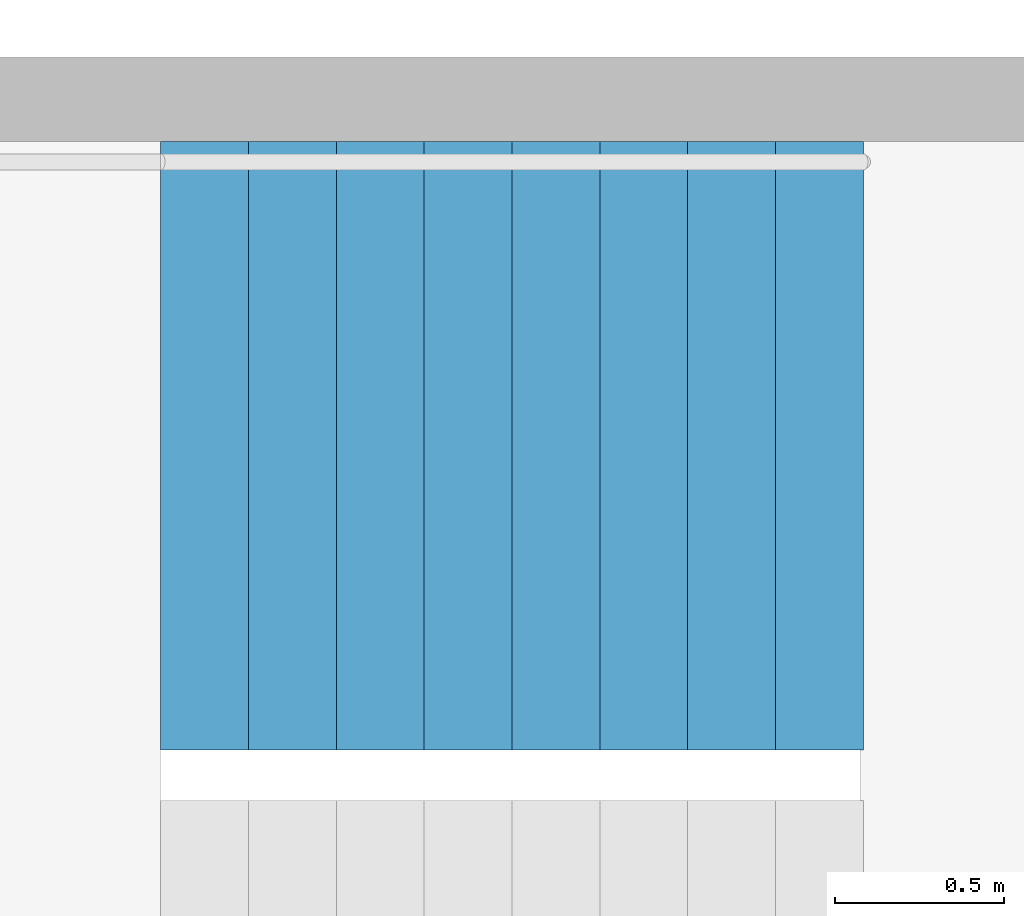
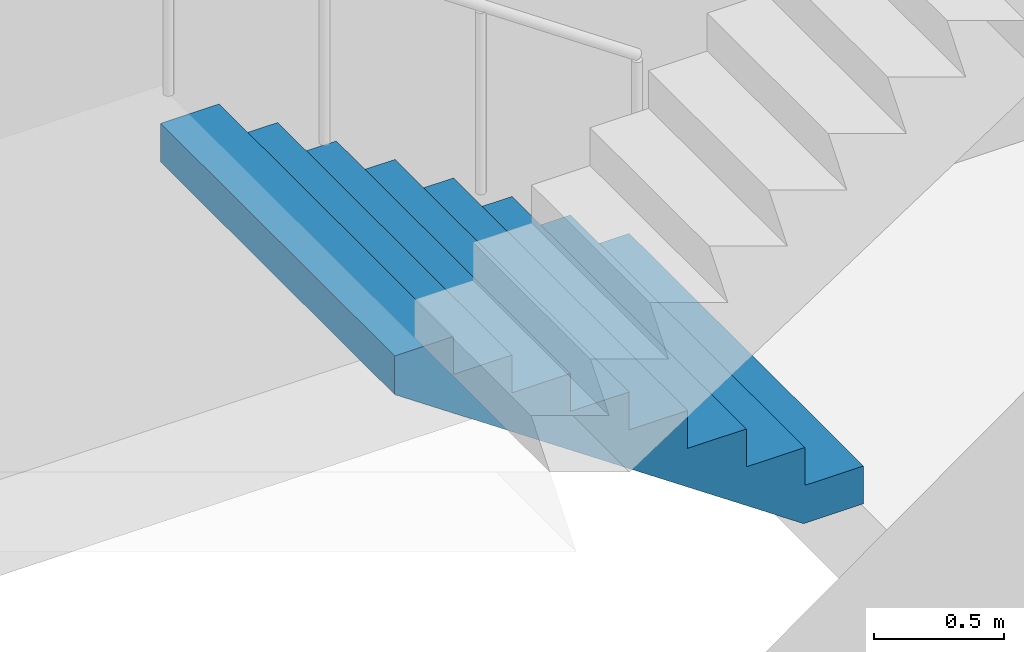
# One storey, part 17 of 28: 1 stair flight, 1 element without a shape of its own.
"""IFC4 building model written with IfcOpenShell, lengths in metres."""

from ifc_helpers import new_model, si_unit, direction, frame, origin, place, context, subcontext, project, spatial, triangles, material, type_object, element, aggregate, save


model = new_model("IFC4")

# Units and contexts
model_context = context("Model", 3, precision=1e-05, world=origin(), true_north=direction((0.0, 1.0)))
body_context = subcontext(model_context, "Body", "Model", "MODEL_VIEW")
ifc_project = project(units=[si_unit("LENGTHUNIT", "METRE"), si_unit("AREAUNIT", "SQUARE_METRE"), si_unit("VOLUMEUNIT", "CUBIC_METRE"), si_unit("PLANEANGLEUNIT", "RADIAN"), si_unit("MASSUNIT", "GRAM", prefix="KILO")], contexts=[model_context])

# Site, building, storey
site_placement = place(None, origin())
site = spatial("IfcSite", under=ifc_project, at=site_placement, CompositionType="ELEMENT")
building_placement = place(site_placement, origin())
building = spatial("IfcBuilding", under=site, at=building_placement, Name="Hakoniwa Tower and Hamabe Station Hall", CompositionType="ELEMENT")
storey_placement = place(building_placement, frame((0.0, 0.0, 218.60009765625)))
storey = spatial("IfcBuildingStorey", under=building, at=storey_placement, Name="L62", CompositionType="ELEMENT", Elevation=218.60009765625)

# Stair, stair flight
ifc_material_1 = material(Name="Concrete C40", Category="concrete")
stair_type = type_object("IfcStairType", Name="ESCAPE STAIR 1800", PredefinedType="HALF_TURN_STAIR", material=ifc_material_1)
stair_placement = place(storey_placement, origin())
stair = element("IfcStair", 1, at=stair_placement, inside=storey, type_object=stair_type, Name="Escape stair ST-2 L62", PredefinedType="HALF_TURN_STAIR")
ifc_material_2 = material(Name="Concrete C40", Category="concrete")
stair_flight_type = type_object("IfcStairFlightType", Name="STAIR FLIGHT 1800", PredefinedType="STRAIGHT", material=ifc_material_2)
stair_flight_placement = place(storey_placement, frame((-23.39990234375, -4.64990234375, 0.0), z_axis=(0.0, 0.0, 1.0), x_axis=(-1.0, 0.0, 0.0)))
stair_flight = element("IfcStairFlight", 2, at=stair_flight_placement, type_object=stair_flight_type, Name="ST-2 flight 1", NumberOfRisers=9, NumberOfTreads=8, PredefinedType="STRAIGHT", RiserHeight=0.177777778, TreadLength=0.26, context=body_context, shape_type="Tessellation", body=[
    triangles([(0.0, 0.89990234375, 0.0), (0.260009765625, 0.89990234375, 0.0), (0.265625, 0.89990234375, 0.0), (0.52001953125, 0.89990234375, 0.174072265625), (0.780029296875, 0.89990234375, 0.351806640625), (1.0400390625, 0.89990234375, 0.529541015625), (1.300048828125, 0.89990234375, 0.707275390625), (1.56005859375, 0.89990234375, 0.885009765625), (1.820068359375, 0.89990234375, 1.062744140625), (2.080078125, 0.89990234375, 1.24072265625), (2.080078125, 0.89990234375, 1.422119140625), (1.820068359375, 0.89990234375, 1.422119140625), (1.820068359375, 0.89990234375, 1.244384765625), (1.56005859375, 0.89990234375, 1.244384765625), (1.56005859375, 0.89990234375, 1.066650390625), (1.300048828125, 0.89990234375, 1.066650390625), (1.300048828125, 0.89990234375, 0.888916015625), (1.0400390625, 0.89990234375, 0.888916015625), (1.0400390625, 0.89990234375, 0.711181640625), (0.780029296875, 0.89990234375, 0.711181640625), (0.780029296875, 0.89990234375, 0.533447265625), (0.52001953125, 0.89990234375, 0.533447265625), (0.52001953125, 0.89990234375, 0.35546875), (0.265625, 0.89990234375, 0.35546875), (0.260009765625, 0.89990234375, 0.35546875), (0.260009765625, 0.89990234375, 0.177734375), (0.0, 0.89990234375, 0.177734375), (0.0, 0.06005859375, 0.0), (0.260009765625, 0.06005859375, 0.0), (0.265625, 0.06005859375, 0.0), (0.52001953125, 0.06005859375, 0.174072265625), (0.780029296875, 0.06005859375, 0.351806640625), (1.0400390625, 0.06005859375, 0.529541015625), (1.300048828125, 0.06005859375, 0.707275390625), (1.56005859375, 0.06005859375, 0.885009765625), (1.820068359375, 0.06005859375, 1.062744140625), (2.080078125, 0.06005859375, 1.24072265625), (2.080078125, 0.06005859375, 1.422119140625), (1.820068359375, 0.06005859375, 1.422119140625), (1.820068359375, 0.06005859375, 1.244384765625), (1.56005859375, 0.06005859375, 1.244384765625), (1.56005859375, 0.06005859375, 1.066650390625), (1.300048828125, 0.06005859375, 1.066650390625), (1.300048828125, 0.06005859375, 0.888916015625), (1.0400390625, 0.06005859375, 0.888916015625), (1.0400390625, 0.06005859375, 0.711181640625), (0.780029296875, 0.06005859375, 0.711181640625), (0.780029296875, 0.06005859375, 0.533447265625), (0.52001953125, 0.06005859375, 0.533447265625), (0.52001953125, 0.06005859375, 0.35546875), (0.265625, 0.06005859375, 0.35546875), (0.260009765625, 0.06005859375, 0.35546875), (0.260009765625, 0.06005859375, 0.177734375), (0.0, 0.06005859375, 0.177734375), (0.0, 0.04296875, 0.0), (0.260009765625, 0.04296875, 0.0), (0.265625, 0.04296875, 0.0), (0.52001953125, 0.04296875, 0.174072265625), (0.780029296875, 0.04296875, 0.351806640625), (1.0400390625, 0.04296875, 0.529541015625), (1.300048828125, 0.04296875, 0.707275390625), (1.56005859375, 0.04296875, 0.885009765625), (1.820068359375, 0.04296875, 1.062744140625), (2.080078125, 0.04296875, 1.24072265625), (2.080078125, 0.04296875, 1.422119140625), (1.820068359375, 0.04296875, 1.422119140625), (1.820068359375, 0.04296875, 1.244384765625), (1.56005859375, 0.04296875, 1.244384765625), (1.56005859375, 0.04296875, 1.066650390625), (1.300048828125, 0.04296875, 1.066650390625), (1.300048828125, 0.04296875, 0.888916015625), (1.0400390625, 0.04296875, 0.888916015625), (1.0400390625, 0.04296875, 0.711181640625), (0.780029296875, 0.04296875, 0.711181640625), (0.780029296875, 0.04296875, 0.533447265625), (0.52001953125, 0.04296875, 0.533447265625), (0.52001953125, 0.04296875, 0.35546875), (0.265625, 0.04296875, 0.35546875), (0.260009765625, 0.04296875, 0.35546875), (0.260009765625, 0.04296875, 0.177734375), (0.0, 0.04296875, 0.177734375), (0.0, 0.025634765625, 0.0), (0.260009765625, 0.025634765625, 0.0), (0.265625, 0.025634765625, 0.0), (0.52001953125, 0.025634765625, 0.174072265625), (0.780029296875, 0.025634765625, 0.351806640625), (1.0400390625, 0.025634765625, 0.529541015625), (1.300048828125, 0.025634765625, 0.707275390625), (1.56005859375, 0.025634765625, 0.885009765625), (1.820068359375, 0.025634765625, 1.062744140625), (2.080078125, 0.025634765625, 1.24072265625), (2.080078125, 0.025634765625, 1.422119140625), (1.820068359375, 0.025634765625, 1.422119140625), (1.820068359375, 0.025634765625, 1.244384765625), (1.56005859375, 0.025634765625, 1.244384765625), (1.56005859375, 0.025634765625, 1.066650390625), (1.300048828125, 0.025634765625, 1.066650390625), (1.300048828125, 0.025634765625, 0.888916015625), (1.0400390625, 0.025634765625, 0.888916015625), (1.0400390625, 0.025634765625, 0.711181640625), (0.780029296875, 0.025634765625, 0.711181640625), (0.780029296875, 0.025634765625, 0.533447265625), (0.52001953125, 0.025634765625, 0.533447265625), (0.52001953125, 0.025634765625, 0.35546875), (0.265625, 0.025634765625, 0.35546875), (0.260009765625, 0.025634765625, 0.35546875), (0.260009765625, 0.025634765625, 0.177734375), (0.0, 0.025634765625, 0.177734375), (0.0, 0.008544921875, 0.0), (0.260009765625, 0.008544921875, 0.0), (0.265625, 0.008544921875, 0.0), (0.52001953125, 0.008544921875, 0.174072265625), (0.780029296875, 0.008544921875, 0.351806640625), (1.0400390625, 0.008544921875, 0.529541015625), (1.300048828125, 0.008544921875, 0.707275390625), (1.56005859375, 0.008544921875, 0.885009765625), (1.820068359375, 0.008544921875, 1.062744140625), (2.080078125, 0.008544921875, 1.24072265625), (2.080078125, 0.008544921875, 1.422119140625), (1.820068359375, 0.008544921875, 1.422119140625), (1.820068359375, 0.008544921875, 1.244384765625), (1.56005859375, 0.008544921875, 1.244384765625), (1.56005859375, 0.008544921875, 1.066650390625), (1.300048828125, 0.008544921875, 1.066650390625), (1.300048828125, 0.008544921875, 0.888916015625), (1.0400390625, 0.008544921875, 0.888916015625), (1.0400390625, 0.008544921875, 0.711181640625), (0.780029296875, 0.008544921875, 0.711181640625), (0.780029296875, 0.008544921875, 0.533447265625), (0.52001953125, 0.008544921875, 0.533447265625), (0.52001953125, 0.008544921875, 0.35546875), (0.265625, 0.008544921875, 0.35546875), (0.260009765625, 0.008544921875, 0.35546875), (0.260009765625, 0.008544921875, 0.177734375), (0.0, 0.008544921875, 0.177734375), (0.0, -0.008544921875, 0.0), (0.260009765625, -0.008544921875, 0.0), (0.265625, -0.008544921875, 0.0), (0.52001953125, -0.008544921875, 0.174072265625), (0.780029296875, -0.008544921875, 0.351806640625), (1.0400390625, -0.008544921875, 0.529541015625), (1.300048828125, -0.008544921875, 0.707275390625), (1.56005859375, -0.008544921875, 0.885009765625), (1.820068359375, -0.008544921875, 1.062744140625), (2.080078125, -0.008544921875, 1.24072265625), (2.080078125, -0.008544921875, 1.422119140625), (1.820068359375, -0.008544921875, 1.422119140625), (1.820068359375, -0.008544921875, 1.244384765625), (1.56005859375, -0.008544921875, 1.244384765625), (1.56005859375, -0.008544921875, 1.066650390625), (1.300048828125, -0.008544921875, 1.066650390625), (1.300048828125, -0.008544921875, 0.888916015625), (1.0400390625, -0.008544921875, 0.888916015625), (1.0400390625, -0.008544921875, 0.711181640625), (0.780029296875, -0.008544921875, 0.711181640625), (0.780029296875, -0.008544921875, 0.533447265625), (0.52001953125, -0.008544921875, 0.533447265625), (0.52001953125, -0.008544921875, 0.35546875), (0.265625, -0.008544921875, 0.35546875), (0.260009765625, -0.008544921875, 0.35546875), (0.260009765625, -0.008544921875, 0.177734375), (0.0, -0.008544921875, 0.177734375), (0.0, -0.025634765625, 0.0), (0.260009765625, -0.025634765625, 0.0), (0.265625, -0.025634765625, 0.0), (0.52001953125, -0.025634765625, 0.174072265625), (0.780029296875, -0.025634765625, 0.351806640625), (1.0400390625, -0.025634765625, 0.529541015625), (1.300048828125, -0.025634765625, 0.707275390625), (1.56005859375, -0.025634765625, 0.885009765625), (1.820068359375, -0.025634765625, 1.062744140625), (2.080078125, -0.025634765625, 1.24072265625), (2.080078125, -0.025634765625, 1.422119140625), (1.820068359375, -0.025634765625, 1.422119140625), (1.820068359375, -0.025634765625, 1.244384765625), (1.56005859375, -0.025634765625, 1.244384765625), (1.56005859375, -0.025634765625, 1.066650390625), (1.300048828125, -0.025634765625, 1.066650390625), (1.300048828125, -0.025634765625, 0.888916015625), (1.0400390625, -0.025634765625, 0.888916015625), (1.0400390625, -0.025634765625, 0.711181640625), (0.780029296875, -0.025634765625, 0.711181640625), (0.780029296875, -0.025634765625, 0.533447265625), (0.52001953125, -0.025634765625, 0.533447265625), (0.52001953125, -0.025634765625, 0.35546875), (0.265625, -0.025634765625, 0.35546875), (0.260009765625, -0.025634765625, 0.35546875), (0.260009765625, -0.025634765625, 0.177734375), (0.0, -0.025634765625, 0.177734375), (0.0, -0.04296875, 0.0), (0.260009765625, -0.04296875, 0.0), (0.265625, -0.04296875, 0.0), (0.52001953125, -0.04296875, 0.174072265625), (0.780029296875, -0.04296875, 0.351806640625), (1.0400390625, -0.04296875, 0.529541015625), (1.300048828125, -0.04296875, 0.707275390625), (1.56005859375, -0.04296875, 0.885009765625), (1.820068359375, -0.04296875, 1.062744140625), (2.080078125, -0.04296875, 1.24072265625), (2.080078125, -0.04296875, 1.422119140625), (1.820068359375, -0.04296875, 1.422119140625), (1.820068359375, -0.04296875, 1.244384765625), (1.56005859375, -0.04296875, 1.244384765625), (1.56005859375, -0.04296875, 1.066650390625), (1.300048828125, -0.04296875, 1.066650390625), (1.300048828125, -0.04296875, 0.888916015625), (1.0400390625, -0.04296875, 0.888916015625), (1.0400390625, -0.04296875, 0.711181640625), (0.780029296875, -0.04296875, 0.711181640625), (0.780029296875, -0.04296875, 0.533447265625), (0.52001953125, -0.04296875, 0.533447265625), (0.52001953125, -0.04296875, 0.35546875), (0.265625, -0.04296875, 0.35546875), (0.260009765625, -0.04296875, 0.35546875), (0.260009765625, -0.04296875, 0.177734375), (0.0, -0.04296875, 0.177734375), (0.0, -0.06005859375, 0.0), (0.260009765625, -0.06005859375, 0.0), (0.265625, -0.06005859375, 0.0), (0.52001953125, -0.06005859375, 0.174072265625), (0.780029296875, -0.06005859375, 0.351806640625), (1.0400390625, -0.06005859375, 0.529541015625), (1.300048828125, -0.06005859375, 0.707275390625), (1.56005859375, -0.06005859375, 0.885009765625), (1.820068359375, -0.06005859375, 1.062744140625), (2.080078125, -0.06005859375, 1.24072265625), (2.080078125, -0.06005859375, 1.422119140625), (1.820068359375, -0.06005859375, 1.422119140625), (1.820068359375, -0.06005859375, 1.244384765625), (1.56005859375, -0.06005859375, 1.244384765625), (1.56005859375, -0.06005859375, 1.066650390625), (1.300048828125, -0.06005859375, 1.066650390625), (1.300048828125, -0.06005859375, 0.888916015625), (1.0400390625, -0.06005859375, 0.888916015625), (1.0400390625, -0.06005859375, 0.711181640625), (0.780029296875, -0.06005859375, 0.711181640625), (0.780029296875, -0.06005859375, 0.533447265625), (0.52001953125, -0.06005859375, 0.533447265625), (0.52001953125, -0.06005859375, 0.35546875), (0.265625, -0.06005859375, 0.35546875), (0.260009765625, -0.06005859375, 0.35546875), (0.260009765625, -0.06005859375, 0.177734375), (0.0, -0.06005859375, 0.177734375), (0.0, -0.89990234375, 0.0), (0.260009765625, -0.89990234375, 0.0), (0.265625, -0.89990234375, 0.0), (0.52001953125, -0.89990234375, 0.174072265625), (0.780029296875, -0.89990234375, 0.351806640625), (1.0400390625, -0.89990234375, 0.529541015625), (1.300048828125, -0.89990234375, 0.707275390625), (1.56005859375, -0.89990234375, 0.885009765625), (1.820068359375, -0.89990234375, 1.062744140625), (2.080078125, -0.89990234375, 1.24072265625), (2.080078125, -0.89990234375, 1.422119140625), (1.820068359375, -0.89990234375, 1.422119140625), (1.820068359375, -0.89990234375, 1.244384765625), (1.56005859375, -0.89990234375, 1.244384765625), (1.56005859375, -0.89990234375, 1.066650390625), (1.300048828125, -0.89990234375, 1.066650390625), (1.300048828125, -0.89990234375, 0.888916015625), (1.0400390625, -0.89990234375, 0.888916015625), (1.0400390625, -0.89990234375, 0.711181640625), (0.780029296875, -0.89990234375, 0.711181640625), (0.780029296875, -0.89990234375, 0.533447265625), (0.52001953125, -0.89990234375, 0.533447265625), (0.52001953125, -0.89990234375, 0.35546875), (0.265625, -0.89990234375, 0.35546875), (0.260009765625, -0.89990234375, 0.35546875), (0.260009765625, -0.89990234375, 0.177734375), (0.0, -0.89990234375, 0.177734375)], [[2, 27, 26], [245, 269, 270], [2, 1, 27], [245, 270, 244], [3, 25, 24], [246, 267, 268], [3, 26, 25], [246, 268, 269], [3, 2, 26], [246, 269, 245], [4, 24, 23], [247, 266, 267], [4, 3, 24], [247, 267, 246], [5, 22, 21], [248, 264, 265], [5, 23, 22], [248, 265, 266], [5, 4, 23], [248, 266, 247], [6, 20, 19], [249, 262, 263], [6, 21, 20], [249, 263, 264], [6, 5, 21], [249, 264, 248], [7, 18, 17], [250, 260, 261], [7, 19, 18], [250, 261, 262], [7, 6, 19], [250, 262, 249], [8, 16, 15], [251, 258, 259], [8, 17, 16], [251, 259, 260], [8, 7, 17], [251, 260, 250], [9, 14, 13], [252, 256, 257], [9, 15, 14], [252, 257, 258], [9, 8, 15], [252, 258, 251], [10, 12, 11], [253, 254, 255], [10, 13, 12], [253, 255, 256], [10, 9, 13], [253, 256, 252], [1, 2, 29], [1, 29, 28], [28, 29, 56], [28, 56, 55], [55, 56, 83], [55, 83, 82], [82, 83, 110], [82, 110, 109], [109, 110, 137], [109, 137, 136], [136, 137, 164], [136, 164, 163], [163, 164, 191], [163, 191, 190], [190, 191, 218], [190, 218, 217], [217, 218, 245], [217, 245, 244], [2, 3, 30], [2, 30, 29], [29, 30, 57], [29, 57, 56], [56, 57, 84], [56, 84, 83], [83, 84, 111], [83, 111, 110], [110, 111, 138], [110, 138, 137], [137, 138, 165], [137, 165, 164], [164, 165, 192], [164, 192, 191], [191, 192, 219], [191, 219, 218], [218, 219, 246], [218, 246, 245], [3, 4, 31], [3, 31, 30], [30, 31, 58], [30, 58, 57], [57, 58, 85], [57, 85, 84], [84, 85, 112], [84, 112, 111], [111, 112, 139], [111, 139, 138], [138, 139, 166], [138, 166, 165], [165, 166, 193], [165, 193, 192], [192, 193, 220], [192, 220, 219], [219, 220, 247], [219, 247, 246], [4, 5, 32], [4, 32, 31], [31, 32, 59], [31, 59, 58], [58, 59, 86], [58, 86, 85], [85, 86, 113], [85, 113, 112], [112, 113, 140], [112, 140, 139], [139, 140, 167], [139, 167, 166], [166, 167, 194], [166, 194, 193], [193, 194, 221], [193, 221, 220], [220, 221, 248], [220, 248, 247], [5, 6, 33], [5, 33, 32], [32, 33, 60], [32, 60, 59], [59, 60, 87], [59, 87, 86], [86, 87, 114], [86, 114, 113], [113, 114, 141], [113, 141, 140], [140, 141, 168], [140, 168, 167], [167, 168, 195], [167, 195, 194], [194, 195, 222], [194, 222, 221], [221, 222, 249], [221, 249, 248], [6, 7, 34], [6, 34, 33], [33, 34, 61], [33, 61, 60], [60, 61, 88], [60, 88, 87], [87, 88, 115], [87, 115, 114], [114, 115, 142], [114, 142, 141], [141, 142, 169], [141, 169, 168], [168, 169, 196], [168, 196, 195], [195, 196, 223], [195, 223, 222], [222, 223, 250], [222, 250, 249], [7, 8, 35], [7, 35, 34], [34, 35, 62], [34, 62, 61], [61, 62, 89], [61, 89, 88], [88, 89, 116], [88, 116, 115], [115, 116, 143], [115, 143, 142], [142, 143, 170], [142, 170, 169], [169, 170, 197], [169, 197, 196], [196, 197, 224], [196, 224, 223], [223, 224, 251], [223, 251, 250], [8, 9, 36], [8, 36, 35], [35, 36, 63], [35, 63, 62], [62, 63, 90], [62, 90, 89], [89, 90, 117], [89, 117, 116], [116, 117, 144], [116, 144, 143], [143, 144, 171], [143, 171, 170], [170, 171, 198], [170, 198, 197], [197, 198, 225], [197, 225, 224], [224, 225, 252], [224, 252, 251], [9, 10, 37], [9, 37, 36], [36, 37, 64], [36, 64, 63], [63, 64, 91], [63, 91, 90], [90, 91, 118], [90, 118, 117], [117, 118, 145], [117, 145, 144], [144, 145, 172], [144, 172, 171], [171, 172, 199], [171, 199, 198], [198, 199, 226], [198, 226, 225], [225, 226, 253], [225, 253, 252], [10, 11, 38], [10, 38, 37], [37, 38, 65], [37, 65, 64], [64, 65, 92], [64, 92, 91], [91, 92, 119], [91, 119, 118], [118, 119, 146], [118, 146, 145], [145, 146, 173], [145, 173, 172], [172, 173, 200], [172, 200, 199], [199, 200, 227], [199, 227, 226], [226, 227, 254], [226, 254, 253], [11, 12, 39], [11, 39, 38], [38, 39, 66], [38, 66, 65], [65, 66, 93], [65, 93, 92], [92, 93, 120], [92, 120, 119], [119, 120, 147], [119, 147, 146], [146, 147, 174], [146, 174, 173], [173, 174, 201], [173, 201, 200], [200, 201, 228], [200, 228, 227], [227, 228, 255], [227, 255, 254], [12, 13, 40], [12, 40, 39], [39, 40, 67], [39, 67, 66], [66, 67, 94], [66, 94, 93], [93, 94, 121], [93, 121, 120], [120, 121, 148], [120, 148, 147], [147, 148, 175], [147, 175, 174], [174, 175, 202], [174, 202, 201], [201, 202, 229], [201, 229, 228], [228, 229, 256], [228, 256, 255], [13, 14, 41], [13, 41, 40], [40, 41, 68], [40, 68, 67], [67, 68, 95], [67, 95, 94], [94, 95, 122], [94, 122, 121], [121, 122, 149], [121, 149, 148], [148, 149, 176], [148, 176, 175], [175, 176, 203], [175, 203, 202], [202, 203, 230], [202, 230, 229], [229, 230, 257], [229, 257, 256], [14, 15, 42], [14, 42, 41], [41, 42, 69], [41, 69, 68], [68, 69, 96], [68, 96, 95], [95, 96, 123], [95, 123, 122], [122, 123, 150], [122, 150, 149], [149, 150, 177], [149, 177, 176], [176, 177, 204], [176, 204, 203], [203, 204, 231], [203, 231, 230], [230, 231, 258], [230, 258, 257], [15, 16, 43], [15, 43, 42], [42, 43, 70], [42, 70, 69], [69, 70, 97], [69, 97, 96], [96, 97, 124], [96, 124, 123], [123, 124, 151], [123, 151, 150], [150, 151, 178], [150, 178, 177], [177, 178, 205], [177, 205, 204], [204, 205, 232], [204, 232, 231], [231, 232, 259], [231, 259, 258], [16, 17, 44], [16, 44, 43], [43, 44, 71], [43, 71, 70], [70, 71, 98], [70, 98, 97], [97, 98, 125], [97, 125, 124], [124, 125, 152], [124, 152, 151], [151, 152, 179], [151, 179, 178], [178, 179, 206], [178, 206, 205], [205, 206, 233], [205, 233, 232], [232, 233, 260], [232, 260, 259], [17, 18, 45], [17, 45, 44], [44, 45, 72], [44, 72, 71], [71, 72, 99], [71, 99, 98], [98, 99, 126], [98, 126, 125], [125, 126, 153], [125, 153, 152], [152, 153, 180], [152, 180, 179], [179, 180, 207], [179, 207, 206], [206, 207, 234], [206, 234, 233], [233, 234, 261], [233, 261, 260], [18, 19, 46], [18, 46, 45], [45, 46, 73], [45, 73, 72], [72, 73, 100], [72, 100, 99], [99, 100, 127], [99, 127, 126], [126, 127, 154], [126, 154, 153], [153, 154, 181], [153, 181, 180], [180, 181, 208], [180, 208, 207], [207, 208, 235], [207, 235, 234], [234, 235, 262], [234, 262, 261], [19, 20, 47], [19, 47, 46], [46, 47, 74], [46, 74, 73], [73, 74, 101], [73, 101, 100], [100, 101, 128], [100, 128, 127], [127, 128, 155], [127, 155, 154], [154, 155, 182], [154, 182, 181], [181, 182, 209], [181, 209, 208], [208, 209, 236], [208, 236, 235], [235, 236, 263], [235, 263, 262], [20, 21, 48], [20, 48, 47], [47, 48, 75], [47, 75, 74], [74, 75, 102], [74, 102, 101], [101, 102, 129], [101, 129, 128], [128, 129, 156], [128, 156, 155], [155, 156, 183], [155, 183, 182], [182, 183, 210], [182, 210, 209], [209, 210, 237], [209, 237, 236], [236, 237, 264], [236, 264, 263], [21, 22, 49], [21, 49, 48], [48, 49, 76], [48, 76, 75], [75, 76, 103], [75, 103, 102], [102, 103, 130], [102, 130, 129], [129, 130, 157], [129, 157, 156], [156, 157, 184], [156, 184, 183], [183, 184, 211], [183, 211, 210], [210, 211, 238], [210, 238, 237], [237, 238, 265], [237, 265, 264], [22, 23, 50], [22, 50, 49], [49, 50, 77], [49, 77, 76], [76, 77, 104], [76, 104, 103], [103, 104, 131], [103, 131, 130], [130, 131, 158], [130, 158, 157], [157, 158, 185], [157, 185, 184], [184, 185, 212], [184, 212, 211], [211, 212, 239], [211, 239, 238], [238, 239, 266], [238, 266, 265], [23, 24, 51], [23, 51, 50], [50, 51, 78], [50, 78, 77], [77, 78, 105], [77, 105, 104], [104, 105, 132], [104, 132, 131], [131, 132, 159], [131, 159, 158], [158, 159, 186], [158, 186, 185], [185, 186, 213], [185, 213, 212], [212, 213, 240], [212, 240, 239], [239, 240, 267], [239, 267, 266], [24, 25, 52], [24, 52, 51], [51, 52, 79], [51, 79, 78], [78, 79, 106], [78, 106, 105], [105, 106, 133], [105, 133, 132], [132, 133, 160], [132, 160, 159], [159, 160, 187], [159, 187, 186], [186, 187, 214], [186, 214, 213], [213, 214, 241], [213, 241, 240], [240, 241, 268], [240, 268, 267], [25, 26, 53], [25, 53, 52], [52, 53, 80], [52, 80, 79], [79, 80, 107], [79, 107, 106], [106, 107, 134], [106, 134, 133], [133, 134, 161], [133, 161, 160], [160, 161, 188], [160, 188, 187], [187, 188, 215], [187, 215, 214], [214, 215, 242], [214, 242, 241], [241, 242, 269], [241, 269, 268], [26, 27, 54], [26, 54, 53], [53, 54, 81], [53, 81, 80], [80, 81, 108], [80, 108, 107], [107, 108, 135], [107, 135, 134], [134, 135, 162], [134, 162, 161], [161, 162, 189], [161, 189, 188], [188, 189, 216], [188, 216, 215], [215, 216, 243], [215, 243, 242], [242, 243, 270], [242, 270, 269], [27, 1, 28], [27, 28, 54], [54, 28, 55], [54, 55, 81], [81, 55, 82], [81, 82, 108], [108, 82, 109], [108, 109, 135], [135, 109, 136], [135, 136, 162], [162, 136, 163], [162, 163, 189], [189, 163, 190], [189, 190, 216], [216, 190, 217], [216, 217, 243], [243, 217, 244], [243, 244, 270]], closed=True),
])
aggregate(stair, [stair_flight])

save(model, "model.ifc")
